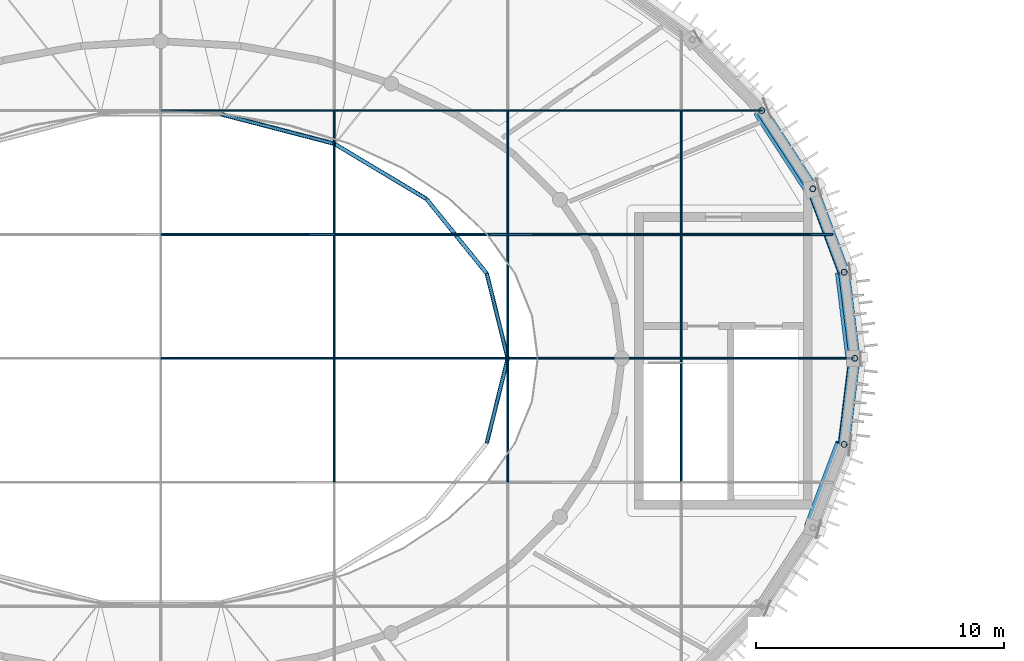
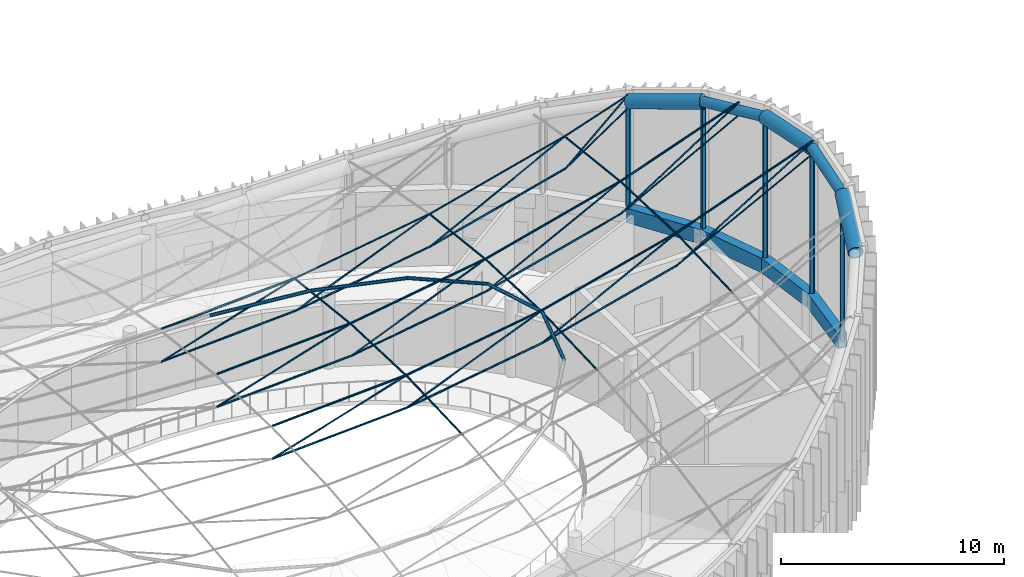
# One storey, part 8 of 36: 60 members, 4 beams.
"""IFC4 building model written with IfcOpenShell, lengths in metres."""

import ifcopenshell
import ifcopenshell.guid

model = None  # the IFC model being written
_history = None  # IfcOwnerHistory: only IFC2X3 demands one
_inside = {}  # id of a spatial element -> (the spatial element, [elements in it])
_under = {}  # id of a project, library or spatial element -> (it, [spatial elements below it])
_declared = {}  # id of a project -> (the project, [libraries it declares])
_typed = {}  # id of a type object -> (the type object, [elements of that type])
_made_of = {}  # id of a material, layer set ... -> (it, [elements and type objects made of it])


def new_model(schema):
    """Start an empty IFC model of exactly this schema.

    Asked for "IFC4X3", IfcOpenShell would pick the latest addendum, in which some entities
    have other attributes; the version numbers below select the first issue.
    IFC2X3 requires an IfcOwnerHistory on every rooted entity: one is made here for all.
    """
    global model, _history
    if schema == "IFC4X3":
        model = ifcopenshell.file(schema_version=(4, 3, 0, 0))
    else:
        model = ifcopenshell.file(schema=schema)
    _inside.clear()
    _under.clear()
    _declared.clear()
    _typed.clear()
    _made_of.clear()
    _history = None
    if model.schema == "IFC2X3":
        org = make("IfcOrganization", Name="unknown")
        user = make(
            "IfcPersonAndOrganization",
            ThePerson=make("IfcPerson", FamilyName="unknown"),
            TheOrganization=org,
        )
        app = make(
            "IfcApplication",
            ApplicationDeveloper=org,
            Version="unknown",
            ApplicationFullName="unknown",
            ApplicationIdentifier="unknown",
        )
        _history = make(
            "IfcOwnerHistory",
            OwningUser=user,
            OwningApplication=app,
            ChangeAction="ADDED",
            CreationDate=0,
        )
    return model


def make(cls, **values):
    """One entity of the class cls with the attributes given. An attribute that is None is left unset."""
    return model.create_entity(
        cls, **{name: value for name, value in values.items() if value is not None}
    )


def rooted(cls, **values):
    """An entity with a GlobalId (a new one), such as an element, a storey or a relation."""
    return make(cls, GlobalId=ifcopenshell.guid.new(), OwnerHistory=_history, **values)


def si_unit(unit_type, name, prefix=None):
    """IfcSIUnit, for example si_unit("LENGTHUNIT", "METRE", prefix="MILLI")."""
    return make("IfcSIUnit", UnitType=unit_type, Prefix=prefix, Name=name)


def assignment(units):
    """IfcUnitAssignment: the units of a project."""
    return None if units is None else make("IfcUnitAssignment", Units=units)


def point(xyz):
    """IfcCartesianPoint."""
    return None if xyz is None else make("IfcCartesianPoint", Coordinates=xyz)


def direction(xyz):
    """IfcDirection."""
    return None if xyz is None else make("IfcDirection", DirectionRatios=xyz)


def frame(location, z_axis=None, x_axis=None):
    """IfcAxis2Placement3D, a coordinate frame: its origin and axes. An axis left out is left unset."""
    return make(
        "IfcAxis2Placement3D",
        Location=point(location),
        Axis=direction(z_axis),
        RefDirection=direction(x_axis),
    )


def frame_2d(location, x_axis=None):
    """IfcAxis2Placement2D, a coordinate frame in the plane: its origin and x axis."""
    return make(
        "IfcAxis2Placement2D", Location=point(location), RefDirection=direction(x_axis)
    )


def origin():
    """The frame at (0, 0, 0) with its axes left unset."""
    return frame((0.0, 0.0, 0.0))


def origin_2d():
    """The frame at (0, 0) in the plane with its x axis left unset."""
    return frame_2d((0.0, 0.0))


def place(relative_to, where):
    """IfcLocalPlacement: puts the frame where relative to a parent placement (None: the world)."""
    return make(
        "IfcLocalPlacement", PlacementRelTo=relative_to, RelativePlacement=where
    )


def context(
    kind, dimensions, precision=None, world=None, true_north=None, identifier=None
):
    """IfcGeometricRepresentationContext, for example the 3D "Model" context."""
    return make(
        "IfcGeometricRepresentationContext",
        ContextIdentifier=identifier,
        ContextType=kind,
        CoordinateSpaceDimension=dimensions,
        Precision=precision,
        WorldCoordinateSystem=world,
        TrueNorth=true_north,
    )


def subcontext(parent, identifier, kind, view, scale=None):
    """IfcGeometricRepresentationSubContext, for example "Body" below "Model"."""
    return make(
        "IfcGeometricRepresentationSubContext",
        ContextIdentifier=identifier,
        ContextType=kind,
        ParentContext=parent,
        TargetScale=scale,
        TargetView=view,
    )


def project(units=None, contexts=None):
    """IfcProject with its units and contexts."""
    return rooted(
        "IfcProject",
        Name="project",
        RepresentationContexts=contexts,
        UnitsInContext=assignment(units),
    )


def spatial(cls, under=None, at=None, **own):
    """A site, building, storey or space (cls), placed at a placement, below another one or the project."""
    s = rooted(cls, ObjectPlacement=at, **own)
    if under is not None:
        _under.setdefault(under.id(), (under, []))[1].append(s)
    return s


def profile(cls, at=None, kind="AREA", **sizes):
    """A parametric profile (cls). Its sizes go by their IFC names, for example OverallWidth=200.0."""
    return make(cls, ProfileType=kind, Position=at, **sizes)


def hollow_rectangle(**sizes):
    """IfcRectangleHollowProfileDef."""
    return profile("IfcRectangleHollowProfileDef", **sizes)


def circle(**sizes):
    """IfcCircleProfileDef."""
    return profile("IfcCircleProfileDef", **sizes)


def hollow_circle(**sizes):
    """IfcCircleHollowProfileDef."""
    return profile("IfcCircleHollowProfileDef", **sizes)


def extrude(swept, where, along, depth):
    """IfcExtrudedAreaSolid: the profile swept, set in the frame where, extruded along a direction by depth."""
    return make(
        "IfcExtrudedAreaSolid",
        SweptArea=swept,
        Position=where,
        ExtrudedDirection=direction(along),
        Depth=depth,
    )


def shape(context_of_items, identifier, shape_type, items):
    """IfcShapeRepresentation: the items that make up one representation, for example the "Body"."""
    return make(
        "IfcShapeRepresentation",
        ContextOfItems=context_of_items,
        RepresentationIdentifier=identifier,
        RepresentationType=shape_type,
        Items=items,
    )


def material(Name=None, Category=None):
    """IfcMaterial."""
    return make("IfcMaterial", Name=Name, Category=Category)


def material_profile(
    of_material, cross_section, Name=None, Category=None, Priority=None
):
    """IfcMaterialProfile: a cross section and its material."""
    return make(
        "IfcMaterialProfile",
        Name=Name,
        Material=of_material,
        Profile=cross_section,
        Priority=Priority,
        Category=Category,
    )


def profile_set(profiles, Name=None, composite=None):
    """IfcMaterialProfileSet."""
    return make(
        "IfcMaterialProfileSet",
        Name=Name,
        MaterialProfiles=profiles,
        CompositeProfile=composite,
    )


def made_of(thing, what):
    """Note that an element or type object is made of a material, layer set ...; save() writes the relation."""
    if what is not None:
        _made_of.setdefault(what.id(), (what, []))[1].append(thing)
    return thing


def type_object(cls, material=None, **own):
    """A type object (cls), such as IfcWallType, which elements share."""
    return made_of(rooted(cls, **own), material)


def element(
    cls,
    number,
    at=None,
    inside=None,
    cuts=None,
    type_object=None,
    material=None,
    context=None,
    identifier="Body",
    shape_type=None,
    held_by="IfcProductDefinitionShape",
    body=None,
    shapes=None,
    **own,
):
    """One element of the class cls, such as IfcWall. Its Tag is "e" and its number.

    at: its placement. inside: the storey or other place that contains it. cuts: it is an
    opening in that element (IfcRelVoidsElement). A single representation is given by context,
    identifier, shape_type and body (its items); several are given by shapes. held_by: the class
    of the entity that holds the representations. save() writes the other relations.
    """
    e = rooted(cls, Tag="e%d" % number, ObjectPlacement=at, **own)
    if body is not None:
        shapes = [shape(context, identifier, shape_type, body)]
    if shapes is not None:
        e.Representation = make(held_by, Representations=shapes)
    if inside is not None:
        _inside.setdefault(inside.id(), (inside, []))[1].append(e)
    if cuts is not None:
        rooted(
            "IfcRelVoidsElement", RelatingBuildingElement=cuts, RelatedOpeningElement=e
        )
    if type_object is not None:
        _typed.setdefault(type_object.id(), (type_object, []))[1].append(e)
    return made_of(e, material)


def aggregate(whole, parts):
    """IfcRelAggregates: a whole, such as a stair, and the parts it consists of."""
    return rooted("IfcRelAggregates", RelatingObject=whole, RelatedObjects=parts)


def save(model, path):
    """Write the relations noted so far, then the file.

    IfcRelAggregates (storeys below a building ...), IfcRelContainedInSpatialStructure (elements
    in a storey), IfcRelDefinesByType, IfcRelAssociatesMaterial and IfcRelDeclares: one each for
    every whole, place, type object, material and project.
    """
    for whole, parts in _under.values():
        aggregate(whole, parts)
    for where, things in _inside.values():
        rooted(
            "IfcRelContainedInSpatialStructure",
            RelatedElements=things,
            RelatingStructure=where,
        )
    for kind, things in _typed.values():
        rooted("IfcRelDefinesByType", RelatedObjects=things, RelatingType=kind)
    for what, things in _made_of.values():
        rooted("IfcRelAssociatesMaterial", RelatedObjects=things, RelatingMaterial=what)
    for by, libraries in _declared.values():
        rooted("IfcRelDeclares", RelatingContext=by, RelatedDefinitions=libraries)
    model.write(path)


model = new_model("IFC4")

# Units and contexts
model_context = context("Model", 3, precision=1e-05, world=origin(), true_north=direction((0.0, 1.0)))
body_context = subcontext(model_context, "Body", "Model", "MODEL_VIEW")
ifc_project = project(units=[si_unit("LENGTHUNIT", "METRE"), si_unit("AREAUNIT", "SQUARE_METRE"), si_unit("VOLUMEUNIT", "CUBIC_METRE"), si_unit("PLANEANGLEUNIT", "RADIAN"), si_unit("MASSUNIT", "GRAM", prefix="KILO")], contexts=[model_context])

# Site, building, storey
site_placement = place(None, origin())
site = spatial("IfcSite", under=ifc_project, at=site_placement, CompositionType="ELEMENT")
building_placement = place(site_placement, origin())
building = spatial("IfcBuilding", under=site, at=building_placement, Name="Tarnveldt Headland Concert Hall", CompositionType="ELEMENT")
storey_placement = place(building_placement, frame((0.0, 0.0, 22.800048828125)))
storey = spatial("IfcBuildingStorey", under=building, at=storey_placement, Name="L05", CompositionType="ELEMENT", Elevation=22.800048828125)

# Members
ifc_material = material(Name="Steel S355", Category="steel")
ifc_material_profile_1 = material_profile(ifc_material, circle(Radius=0.0458984375, at=origin_2d()), Name="LC D92", Category="steel")
ifc_profile_set_1 = profile_set([ifc_material_profile_1], Name="Steel S355")
member_type_1 = type_object("IfcMemberType", Name="CB-HOG92", PredefinedType="USERDEFINED", material=ifc_profile_set_1)
for number, where, z_axis, x_axis, name in (
    (1, (90.5, 49.5, 6.73486328125), (0.0, 0.999297615709, 0.037473660589), (-1.0, 0.0, 0.0), "ROOF TRUSS CABLE prestress chord 86"),
    (2, (90.5, 54.5, 6.92236328125), (0.0, 0.999297615709, -0.037473660589), (-1.0, 0.0, 0.0), "ROOF TRUSS CABLE prestress chord 87"),
):
    element("IfcMember", number, at=place(storey_placement, frame(where, z_axis=z_axis, x_axis=x_axis)), inside=storey, type_object=member_type_1, Name=name, ObjectType="CABLE", PredefinedType="USERDEFINED", context=body_context, shape_type="SweptSolid", body=[
        extrude(circle(Radius=0.0458984375, at=origin_2d()), origin(), (0.0, 0.0, 1.0), 5.00341796875),
    ])
member_1_placement = place(storey_placement, frame((90.5, 59.5, 6.73486328125), z_axis=(0.0, 0.993731316159, -0.111794773068), x_axis=(-1.0, 0.0, 0.0)))
element("IfcMember", 3, at=member_1_placement, inside=storey, type_object=member_type_1, Name="ROOF TRUSS CABLE prestress chord 88", ObjectType="CABLE", PredefinedType="USERDEFINED", context=body_context, shape_type="SweptSolid", body=[
    extrude(circle(Radius=0.0458984375, at=origin_2d()), origin(), (0.0, 0.0, 1.0), 5.031494140625),
])
for number, where, z_axis, x_axis, name in (
    (4, (97.5, 49.5, 7.822509765625), (0.0, 0.999297615709, 0.037473660589), (-1.0, 0.0, 0.0), "ROOF TRUSS CABLE prestress chord 94"),
    (5, (97.5, 54.5, 8.010009765625), (0.0, 0.999297615709, -0.037473660589), (-1.0, 0.0, 0.0), "ROOF TRUSS CABLE prestress chord 95"),
):
    element("IfcMember", number, at=place(storey_placement, frame(where, z_axis=z_axis, x_axis=x_axis)), inside=storey, type_object=member_type_1, Name=name, ObjectType="CABLE", PredefinedType="USERDEFINED", context=body_context, shape_type="SweptSolid", body=[
        extrude(circle(Radius=0.0458984375, at=origin_2d()), origin(), (0.0, 0.0, 1.0), 5.00341796875),
    ])
member_2_placement = place(storey_placement, frame((97.5, 59.5, 7.822509765625), z_axis=(0.0, 0.993731316159, -0.111794773068), x_axis=(-1.0, 0.0, 0.0)))
element("IfcMember", 6, at=member_2_placement, inside=storey, type_object=member_type_1, Name="ROOF TRUSS CABLE prestress chord 96", ObjectType="CABLE", PredefinedType="USERDEFINED", context=body_context, shape_type="SweptSolid", body=[
    extrude(circle(Radius=0.0458984375, at=origin_2d()), origin(), (0.0, 0.0, 1.0), 5.031494140625),
])
for number, where, z_axis, x_axis, name in (
    (7, (104.5, 49.5, 9.635009765625), (0.0, 0.999297615709, 0.037473660589), (-1.0, 0.0, 0.0), "ROOF TRUSS CABLE prestress chord 101"),
    (8, (104.5, 54.5, 9.822509765625), (0.0, 0.999297615709, -0.037473660589), (-1.0, 0.0, 0.0), "ROOF TRUSS CABLE prestress chord 102"),
):
    element("IfcMember", number, at=place(storey_placement, frame(where, z_axis=z_axis, x_axis=x_axis)), inside=storey, type_object=member_type_1, Name=name, ObjectType="CABLE", PredefinedType="USERDEFINED", context=body_context, shape_type="SweptSolid", body=[
        extrude(circle(Radius=0.0458984375, at=origin_2d()), origin(), (0.0, 0.0, 1.0), 5.00341796875),
    ])
member_3_placement = place(storey_placement, frame((104.5, 59.5, 9.635009765625), z_axis=(0.0, 0.993731316159, -0.111794773068), x_axis=(-1.0, 0.0, 0.0)))
element("IfcMember", 9, at=member_3_placement, inside=storey, type_object=member_type_1, Name="ROOF TRUSS CABLE prestress chord 103", ObjectType="CABLE", PredefinedType="USERDEFINED", context=body_context, shape_type="SweptSolid", body=[
    extrude(circle(Radius=0.0458984375, at=origin_2d()), origin(), (0.0, 0.0, 1.0), 5.031494140625),
])
ifc_material_profile_2 = material_profile(ifc_material, circle(Radius=0.053955078125, at=origin_2d()), Name="LC D108", Category="steel")
ifc_profile_set_2 = profile_set([ifc_material_profile_2], Name="Steel S355")
member_type_2 = type_object("IfcMemberType", Name="CB-SAG108", PredefinedType="USERDEFINED", material=ifc_profile_set_2)
member_4_placement = place(storey_placement, frame((83.5, 54.5, 6.659912109375), z_axis=(0.99866145102, 0.0, 0.05172336268), x_axis=(0.0, 1.0, 0.0)))
element("IfcMember", 10, at=member_4_placement, inside=storey, type_object=member_type_2, Name="ROOF TRUSS CABLE sag chord 27", ObjectType="CABLE", PredefinedType="USERDEFINED", context=body_context, shape_type="SweptSolid", body=[
    extrude(circle(Radius=0.053955078125, at=origin_2d()), origin(), (0.0, 0.0, 1.0), 7.00927734375),
])
member_5_placement = place(storey_placement, frame((90.5, 54.5, 7.0224609375), z_axis=(0.988148319322, 0.0, 0.153502114058), x_axis=(0.0, 1.0, 0.0)))
element("IfcMember", 11, at=member_5_placement, inside=storey, type_object=member_type_2, Name="ROOF TRUSS CABLE sag chord 28", ObjectType="CABLE", PredefinedType="USERDEFINED", context=body_context, shape_type="SweptSolid", body=[
    extrude(circle(Radius=0.053955078125, at=origin_2d()), origin(), (0.0, 0.0, 1.0), 7.083984375),
])
member_6_placement = place(storey_placement, frame((97.5, 54.5, 8.10986328125), z_axis=(0.968074621179, 0.0, 0.250662178698), x_axis=(0.0, 1.0, 0.0)))
element("IfcMember", 12, at=member_6_placement, inside=storey, type_object=member_type_2, Name="ROOF TRUSS CABLE sag chord 29", ObjectType="CABLE", PredefinedType="USERDEFINED", context=body_context, shape_type="SweptSolid", body=[
    extrude(circle(Radius=0.053955078125, at=origin_2d()), origin(), (0.0, 0.0, 1.0), 7.23095703125),
])
member_7_placement = place(storey_placement, frame((104.5, 54.5, 9.92236328125), z_axis=(0.940131862857, 0.0, 0.340810915965), x_axis=(0.0, 1.0, 0.0)))
element("IfcMember", 13, at=member_7_placement, inside=storey, type_object=member_type_2, Name="ROOF TRUSS CABLE sag chord 30", ObjectType="CABLE", PredefinedType="USERDEFINED", context=body_context, shape_type="SweptSolid", body=[
    extrude(circle(Radius=0.053955078125, at=origin_2d()), origin(), (0.0, 0.0, 1.0), 7.44580078125),
])
member_8_placement = place(storey_placement, frame((83.5, 59.5, 6.472412109375), z_axis=(0.99866145102, 0.0, 0.05172336268), x_axis=(0.0, 1.0, 0.0)))
element("IfcMember", 14, at=member_8_placement, inside=storey, type_object=member_type_2, Name="ROOF TRUSS CABLE sag chord 35", ObjectType="CABLE", PredefinedType="USERDEFINED", context=body_context, shape_type="SweptSolid", body=[
    extrude(circle(Radius=0.053955078125, at=origin_2d()), origin(), (0.0, 0.0, 1.0), 7.00927734375),
])
member_9_placement = place(storey_placement, frame((90.5, 59.5, 6.8349609375), z_axis=(0.988148319322, 0.0, 0.153502114058), x_axis=(0.0, 1.0, 0.0)))
element("IfcMember", 15, at=member_9_placement, inside=storey, type_object=member_type_2, Name="ROOF TRUSS CABLE sag chord 36", ObjectType="CABLE", PredefinedType="USERDEFINED", context=body_context, shape_type="SweptSolid", body=[
    extrude(circle(Radius=0.053955078125, at=origin_2d()), origin(), (0.0, 0.0, 1.0), 7.083984375),
])
member_10_placement = place(storey_placement, frame((97.5, 59.5, 7.92236328125), z_axis=(0.968074621179, 0.0, 0.250662178698), x_axis=(0.0, 1.0, 0.0)))
element("IfcMember", 16, at=member_10_placement, inside=storey, type_object=member_type_2, Name="ROOF TRUSS CABLE sag chord 37", ObjectType="CABLE", PredefinedType="USERDEFINED", context=body_context, shape_type="SweptSolid", body=[
    extrude(circle(Radius=0.053955078125, at=origin_2d()), origin(), (0.0, 0.0, 1.0), 7.23095703125),
])
member_11_placement = place(storey_placement, frame((104.5, 59.5, 9.73486328125), z_axis=(0.942102430183, 0.0, 0.335325231742), x_axis=(0.0, 1.0, 0.0)))
element("IfcMember", 17, at=member_11_placement, inside=storey, type_object=member_type_2, Name="ROOF TRUSS CABLE sag chord 38", ObjectType="CABLE", PredefinedType="USERDEFINED", context=body_context, shape_type="SweptSolid", body=[
    extrude(circle(Radius=0.053955078125, at=origin_2d()), origin(), (0.0, 0.0, 1.0), 6.486328125),
])
ifc_material_profile_3 = material_profile(ifc_material, circle(Radius=0.031982421875, at=origin_2d()), Name="LC D64", Category="steel")
ifc_profile_set_3 = profile_set([ifc_material_profile_3], Name="Steel S355")
member_type_3 = type_object("IfcMemberType", Name="CB-STAY64", PredefinedType="USERDEFINED", material=ifc_profile_set_3)
member_12_placement = place(storey_placement, frame((83.5, 54.5, 4.85986328125), z_axis=(0.955442632118, 0.0, 0.2951768567), x_axis=(0.0, 1.0, 0.0)))
element("IfcMember", 18, at=member_12_placement, inside=storey, type_object=member_type_3, Name="ROOF TRUSS CABLE diagonal 27", ObjectType="CABLE", PredefinedType="USERDEFINED", context=body_context, shape_type="SweptSolid", body=[
    extrude(circle(Radius=0.031982421875, at=origin_2d()), origin(), (0.0, 0.0, 1.0), 7.326416015625),
])
member_13_placement = place(storey_placement, frame((90.5, 54.5, 5.222412109375), z_axis=(0.924440874248, 0.0, 0.381325412239), x_axis=(0.0, 1.0, 0.0)))
element("IfcMember", 19, at=member_13_placement, inside=storey, type_object=member_type_3, Name="ROOF TRUSS CABLE diagonal 28", ObjectType="CABLE", PredefinedType="USERDEFINED", context=body_context, shape_type="SweptSolid", body=[
    extrude(circle(Radius=0.031982421875, at=origin_2d()), origin(), (0.0, 0.0, 1.0), 7.572265625),
])
member_14_placement = place(storey_placement, frame((97.5, 54.5, 6.31005859375), z_axis=(0.888651623271, 0.0, 0.458582917757), x_axis=(0.0, 1.0, 0.0)))
element("IfcMember", 20, at=member_14_placement, inside=storey, type_object=member_type_3, Name="ROOF TRUSS CABLE diagonal 29", ObjectType="CABLE", PredefinedType="USERDEFINED", context=body_context, shape_type="SweptSolid", body=[
    extrude(circle(Radius=0.031982421875, at=origin_2d()), origin(), (0.0, 0.0, 1.0), 7.877197265625),
])
member_15_placement = place(storey_placement, frame((104.5, 54.5, 8.12255859375), z_axis=(0.850043932849, 0.0, 0.526711792375), x_axis=(0.0, 1.0, 0.0)))
element("IfcMember", 21, at=member_15_placement, inside=storey, type_object=member_type_3, Name="ROOF TRUSS CABLE diagonal 30", ObjectType="CABLE", PredefinedType="USERDEFINED", context=body_context, shape_type="SweptSolid", body=[
    extrude(circle(Radius=0.031982421875, at=origin_2d()), origin(), (0.0, 0.0, 1.0), 8.23486328125),
])
member_16_placement = place(storey_placement, frame((83.5, 59.5, 4.67236328125), z_axis=(0.955442632118, 0.0, 0.2951768567), x_axis=(0.0, 1.0, 0.0)))
element("IfcMember", 22, at=member_16_placement, inside=storey, type_object=member_type_3, Name="ROOF TRUSS CABLE diagonal 35", ObjectType="CABLE", PredefinedType="USERDEFINED", context=body_context, shape_type="SweptSolid", body=[
    extrude(circle(Radius=0.031982421875, at=origin_2d()), origin(), (0.0, 0.0, 1.0), 7.326416015625),
])
member_17_placement = place(storey_placement, frame((90.5, 59.5, 5.034912109375), z_axis=(0.924440874248, 0.0, 0.381325412239), x_axis=(0.0, 1.0, 0.0)))
element("IfcMember", 23, at=member_17_placement, inside=storey, type_object=member_type_3, Name="ROOF TRUSS CABLE diagonal 36", ObjectType="CABLE", PredefinedType="USERDEFINED", context=body_context, shape_type="SweptSolid", body=[
    extrude(circle(Radius=0.031982421875, at=origin_2d()), origin(), (0.0, 0.0, 1.0), 7.572265625),
])
member_18_placement = place(storey_placement, frame((97.5, 59.5, 6.12255859375), z_axis=(0.888651623271, 0.0, 0.458582917757), x_axis=(0.0, 1.0, 0.0)))
element("IfcMember", 24, at=member_18_placement, inside=storey, type_object=member_type_3, Name="ROOF TRUSS CABLE diagonal 37", ObjectType="CABLE", PredefinedType="USERDEFINED", context=body_context, shape_type="SweptSolid", body=[
    extrude(circle(Radius=0.031982421875, at=origin_2d()), origin(), (0.0, 0.0, 1.0), 7.877197265625),
])
member_19_placement = place(storey_placement, frame((104.5, 59.5, 7.93505859375), z_axis=(0.838267585522, 0.0, 0.545259071509), x_axis=(0.0, 1.0, 0.0)))
element("IfcMember", 25, at=member_19_placement, inside=storey, type_object=member_type_3, Name="ROOF TRUSS CABLE diagonal 38", ObjectType="CABLE", PredefinedType="USERDEFINED", context=body_context, shape_type="SweptSolid", body=[
    extrude(circle(Radius=0.031982421875, at=origin_2d()), origin(), (0.0, 0.0, 1.0), 7.289794921875),
])
member_20_placement = place(storey_placement, frame((83.5, 64.5, 4.10986328125), z_axis=(0.955442632118, 0.0, 0.2951768567), x_axis=(0.0, 1.0, 0.0)))
element("IfcMember", 26, at=member_20_placement, inside=storey, type_object=member_type_3, Name="ROOF TRUSS CABLE diagonal 43", ObjectType="CABLE", PredefinedType="USERDEFINED", context=body_context, shape_type="SweptSolid", body=[
    extrude(circle(Radius=0.031982421875, at=origin_2d()), origin(), (0.0, 0.0, 1.0), 7.326416015625),
])
member_21_placement = place(storey_placement, frame((90.5, 64.5, 4.472412109375), z_axis=(0.924440874248, 0.0, 0.381325412239), x_axis=(0.0, 1.0, 0.0)))
element("IfcMember", 27, at=member_21_placement, inside=storey, type_object=member_type_3, Name="ROOF TRUSS CABLE diagonal 44", ObjectType="CABLE", PredefinedType="USERDEFINED", context=body_context, shape_type="SweptSolid", body=[
    extrude(circle(Radius=0.031982421875, at=origin_2d()), origin(), (0.0, 0.0, 1.0), 7.572265625),
])
member_22_placement = place(storey_placement, frame((97.5, 64.5, 5.56005859375), z_axis=(0.888651623271, 0.0, 0.458582917757), x_axis=(0.0, 1.0, 0.0)))
element("IfcMember", 28, at=member_22_placement, inside=storey, type_object=member_type_3, Name="ROOF TRUSS CABLE diagonal 45", ObjectType="CABLE", PredefinedType="USERDEFINED", context=body_context, shape_type="SweptSolid", body=[
    extrude(circle(Radius=0.031982421875, at=origin_2d()), origin(), (0.0, 0.0, 1.0), 7.877197265625),
])
member_23_placement = place(storey_placement, frame((104.5, 64.5, 7.37255859375), z_axis=(0.747449604511, 0.0, 0.664318514507), x_axis=(0.0, 1.0, 0.0)))
element("IfcMember", 29, at=member_23_placement, inside=storey, type_object=member_type_3, Name="ROOF TRUSS CABLE diagonal 46", ObjectType="CABLE", PredefinedType="USERDEFINED", context=body_context, shape_type="SweptSolid", body=[
    extrude(circle(Radius=0.031982421875, at=origin_2d()), origin(), (0.0, 0.0, 1.0), 4.346435546875),
])
ifc_material_profile_4 = material_profile(ifc_material, circle(Radius=0.0419921875, at=origin_2d()), Name="LC D84", Category="steel")
ifc_profile_set_4 = profile_set([ifc_material_profile_4], Name="Steel S355")
member_type_4 = type_object("IfcMemberType", Name="CB-STAY84", PredefinedType="USERDEFINED", material=ifc_profile_set_4)
member_24_placement = place(storey_placement, frame((83.5, 64.5, 5.909912109375), z_axis=(0.99866145102, 0.0, 0.05172336268), x_axis=(0.0, 1.0, 0.0)))
element("IfcMember", 30, at=member_24_placement, inside=storey, type_object=member_type_4, Name="ROOF TRUSS CABLE sag chord 43", ObjectType="CABLE", PredefinedType="USERDEFINED", context=body_context, shape_type="SweptSolid", body=[
    extrude(circle(Radius=0.0419921875, at=origin_2d()), origin(), (0.0, 0.0, 1.0), 7.00927734375),
])
member_25_placement = place(storey_placement, frame((90.5, 64.5, 6.2724609375), z_axis=(0.988148319322, 0.0, 0.153502114058), x_axis=(0.0, 1.0, 0.0)))
element("IfcMember", 31, at=member_25_placement, inside=storey, type_object=member_type_4, Name="ROOF TRUSS CABLE sag chord 44", ObjectType="CABLE", PredefinedType="USERDEFINED", context=body_context, shape_type="SweptSolid", body=[
    extrude(circle(Radius=0.0419921875, at=origin_2d()), origin(), (0.0, 0.0, 1.0), 7.083984375),
])
member_26_placement = place(storey_placement, frame((97.5, 64.5, 7.35986328125), z_axis=(0.968074621179, 0.0, 0.250662178698), x_axis=(0.0, 1.0, 0.0)))
element("IfcMember", 32, at=member_26_placement, inside=storey, type_object=member_type_4, Name="ROOF TRUSS CABLE sag chord 45", ObjectType="CABLE", PredefinedType="USERDEFINED", context=body_context, shape_type="SweptSolid", body=[
    extrude(circle(Radius=0.0419921875, at=origin_2d()), origin(), (0.0, 0.0, 1.0), 7.23095703125),
])
member_27_placement = place(storey_placement, frame((104.5, 64.5, 9.17236328125), z_axis=(0.948269174357, 0.0, 0.317467436068), x_axis=(0.0, 1.0, 0.0)))
element("IfcMember", 33, at=member_27_placement, inside=storey, type_object=member_type_4, Name="ROOF TRUSS CABLE sag chord 46", ObjectType="CABLE", PredefinedType="USERDEFINED", context=body_context, shape_type="SweptSolid", body=[
    extrude(circle(Radius=0.0419921875, at=origin_2d()), origin(), (0.0, 0.0, 1.0), 3.426025390625),
])
ifc_material_profile_5 = material_profile(ifc_material, circle(Radius=0.0380859375, at=origin_2d()), Name="LC D76", Category="steel")
ifc_profile_set_5 = profile_set([ifc_material_profile_5], Name="Steel S355")
member_type_5 = type_object("IfcMemberType", Name="CB-TIE76", PredefinedType="USERDEFINED", material=ifc_profile_set_5)
member_28_placement = place(storey_placement, frame((83.5, 54.5, 4.85986328125), z_axis=(0.99866145102, 0.0, 0.05172336268), x_axis=(0.0, 1.0, 0.0)))
element("IfcMember", 34, at=member_28_placement, inside=storey, type_object=member_type_5, Name="ROOF TRUSS CABLE lower chord 27", ObjectType="CABLE", PredefinedType="USERDEFINED", context=body_context, shape_type="SweptSolid", body=[
    extrude(circle(Radius=0.0380859375, at=origin_2d()), origin(), (0.0, 0.0, 1.0), 7.00927734375),
])
member_29_placement = place(storey_placement, frame((90.5, 54.5, 5.222412109375), z_axis=(0.988143091198, 0.0, 0.1535357656), x_axis=(0.0, 1.0, 0.0)))
element("IfcMember", 35, at=member_29_placement, inside=storey, type_object=member_type_5, Name="ROOF TRUSS CABLE lower chord 28", ObjectType="CABLE", PredefinedType="USERDEFINED", context=body_context, shape_type="SweptSolid", body=[
    extrude(circle(Radius=0.0380859375, at=origin_2d()), origin(), (0.0, 0.0, 1.0), 7.083984375),
])
member_30_placement = place(storey_placement, frame((97.5, 54.5, 6.31005859375), z_axis=(0.968074621179, 0.0, 0.250662178698), x_axis=(0.0, 1.0, 0.0)))
element("IfcMember", 36, at=member_30_placement, inside=storey, type_object=member_type_5, Name="ROOF TRUSS CABLE lower chord 29", ObjectType="CABLE", PredefinedType="USERDEFINED", context=body_context, shape_type="SweptSolid", body=[
    extrude(circle(Radius=0.0380859375, at=origin_2d()), origin(), (0.0, 0.0, 1.0), 7.23095703125),
])
member_31_placement = place(storey_placement, frame((104.5, 54.5, 8.12255859375), z_axis=(0.887349016049, 0.0, 0.461098388327), x_axis=(0.0, 1.0, 0.0)))
element("IfcMember", 37, at=member_31_placement, inside=storey, type_object=member_type_5, Name="ROOF TRUSS CABLE lower chord 30", ObjectType="CABLE", PredefinedType="USERDEFINED", context=body_context, shape_type="SweptSolid", body=[
    extrude(circle(Radius=0.0380859375, at=origin_2d()), origin(), (0.0, 0.0, 1.0), 7.888671875),
])
member_32_placement = place(storey_placement, frame((83.5, 59.5, 4.67236328125), z_axis=(0.99866145102, 0.0, 0.05172336268), x_axis=(0.0, 1.0, 0.0)))
element("IfcMember", 38, at=member_32_placement, inside=storey, type_object=member_type_5, Name="ROOF TRUSS CABLE lower chord 35", ObjectType="CABLE", PredefinedType="USERDEFINED", context=body_context, shape_type="SweptSolid", body=[
    extrude(circle(Radius=0.0380859375, at=origin_2d()), origin(), (0.0, 0.0, 1.0), 7.00927734375),
])
member_33_placement = place(storey_placement, frame((90.5, 59.5, 5.034912109375), z_axis=(0.988143091198, 0.0, 0.1535357656), x_axis=(0.0, 1.0, 0.0)))
element("IfcMember", 39, at=member_33_placement, inside=storey, type_object=member_type_5, Name="ROOF TRUSS CABLE lower chord 36", ObjectType="CABLE", PredefinedType="USERDEFINED", context=body_context, shape_type="SweptSolid", body=[
    extrude(circle(Radius=0.0380859375, at=origin_2d()), origin(), (0.0, 0.0, 1.0), 7.083984375),
])
member_34_placement = place(storey_placement, frame((97.5, 59.5, 6.12255859375), z_axis=(0.968074621179, 0.0, 0.250662178698), x_axis=(0.0, 1.0, 0.0)))
element("IfcMember", 40, at=member_34_placement, inside=storey, type_object=member_type_5, Name="ROOF TRUSS CABLE lower chord 37", ObjectType="CABLE", PredefinedType="USERDEFINED", context=body_context, shape_type="SweptSolid", body=[
    extrude(circle(Radius=0.0380859375, at=origin_2d()), origin(), (0.0, 0.0, 1.0), 7.23095703125),
])
member_35_placement = place(storey_placement, frame((104.5, 59.5, 7.93505859375), z_axis=(0.881405622385, 0.0, 0.472360168545), x_axis=(0.0, 1.0, 0.0)))
element("IfcMember", 41, at=member_35_placement, inside=storey, type_object=member_type_5, Name="ROOF TRUSS CABLE lower chord 38", ObjectType="CABLE", PredefinedType="USERDEFINED", context=body_context, shape_type="SweptSolid", body=[
    extrude(circle(Radius=0.0380859375, at=origin_2d()), origin(), (0.0, 0.0, 1.0), 6.93310546875),
])
member_36_placement = place(storey_placement, frame((83.5, 64.5, 4.10986328125), z_axis=(0.99866145102, 0.0, 0.05172336268), x_axis=(0.0, 1.0, 0.0)))
element("IfcMember", 42, at=member_36_placement, inside=storey, type_object=member_type_5, Name="ROOF TRUSS CABLE lower chord 43", ObjectType="CABLE", PredefinedType="USERDEFINED", context=body_context, shape_type="SweptSolid", body=[
    extrude(circle(Radius=0.0380859375, at=origin_2d()), origin(), (0.0, 0.0, 1.0), 7.00927734375),
])
member_37_placement = place(storey_placement, frame((90.5, 64.5, 4.472412109375), z_axis=(0.988143091198, 0.0, 0.1535357656), x_axis=(0.0, 1.0, 0.0)))
element("IfcMember", 43, at=member_37_placement, inside=storey, type_object=member_type_5, Name="ROOF TRUSS CABLE lower chord 44", ObjectType="CABLE", PredefinedType="USERDEFINED", context=body_context, shape_type="SweptSolid", body=[
    extrude(circle(Radius=0.0380859375, at=origin_2d()), origin(), (0.0, 0.0, 1.0), 7.083984375),
])
member_38_placement = place(storey_placement, frame((97.5, 64.5, 5.56005859375), z_axis=(0.968074621179, 0.0, 0.250662178698), x_axis=(0.0, 1.0, 0.0)))
element("IfcMember", 44, at=member_38_placement, inside=storey, type_object=member_type_5, Name="ROOF TRUSS CABLE lower chord 45", ObjectType="CABLE", PredefinedType="USERDEFINED", context=body_context, shape_type="SweptSolid", body=[
    extrude(circle(Radius=0.0380859375, at=origin_2d()), origin(), (0.0, 0.0, 1.0), 7.23095703125),
])
member_39_placement = place(storey_placement, frame((104.5, 64.5, 7.37255859375), z_axis=(0.829490559876, 0.0, 0.558520734688), x_axis=(0.0, 1.0, 0.0)))
element("IfcMember", 45, at=member_39_placement, inside=storey, type_object=member_type_5, Name="ROOF TRUSS CABLE lower chord 46", ObjectType="CABLE", PredefinedType="USERDEFINED", context=body_context, shape_type="SweptSolid", body=[
    extrude(circle(Radius=0.0380859375, at=origin_2d()), origin(), (0.0, 0.0, 1.0), 3.91650390625),
])
ifc_material_profile_6 = material_profile(ifc_material, hollow_circle(Radius=0.084228515625, WallThickness=0.010009765625, at=origin_2d()), Name="CHS 168.3x10", Category="steel")
ifc_profile_set_6 = profile_set([ifc_material_profile_6], Name="Steel S355")
member_type_6 = type_object("IfcMemberType", Name="PR-CHS168", PredefinedType="PURLIN", material=ifc_profile_set_6)
member_40_placement = place(storey_placement, frame((97.5, 54.5, 8.030029296875), z_axis=(-0.239010317392, 0.968275169564, -0.072919573409), x_axis=(-0.970859768832, -0.239648303278, 0.0)))
element("IfcMember", 46, at=member_40_placement, inside=storey, type_object=member_type_6, Name="Saddle roof ring purlin 1", PredefinedType="PURLIN", context=body_context, shape_type="SweptSolid", body=[
    extrude(hollow_circle(Radius=0.084228515625, WallThickness=0.010009765625, at=origin_2d()), origin(), (0.0, 0.0, 1.0), 3.5322265625),
])
member_41_placement = place(storey_placement, frame((96.65576171875, 57.920166015625, 7.7724609375), z_axis=(-0.619876647106, 0.766909047234, -0.166142877197), x_axis=(-0.77771801274, -0.628613309324, 0.0)))
element("IfcMember", 47, at=member_41_placement, inside=storey, type_object=member_type_6, Name="Saddle roof ring purlin 2", PredefinedType="PURLIN", context=body_context, shape_type="SweptSolid", body=[
    extrude(hollow_circle(Radius=0.084228515625, WallThickness=0.010009765625, at=origin_2d()), origin(), (0.0, 0.0, 1.0), 3.921875),
])
member_42_placement = place(storey_placement, frame((94.224609375, 60.927978515625, 7.120849609375), z_axis=(-0.845510150532, 0.506774044079, -0.168204202076), x_axis=(-0.51409883539, -0.857730952834, 0.0)))
element("IfcMember", 48, at=member_42_placement, inside=storey, type_object=member_type_6, Name="Saddle roof ring purlin 3", PredefinedType="PURLIN", context=body_context, shape_type="SweptSolid", body=[
    extrude(hollow_circle(Radius=0.084228515625, WallThickness=0.010009765625, at=origin_2d()), origin(), (0.0, 0.0, 1.0), 4.4052734375),
])
member_43_placement = place(storey_placement, frame((90.5, 63.160400390625, 6.3798828125), z_axis=(-0.962790907549, 0.250292709481, -0.101917750767), x_axis=(-0.251602848607, -0.967830567079, 0.0)))
element("IfcMember", 49, at=member_43_placement, inside=storey, type_object=member_type_6, Name="Saddle roof ring purlin 4", PredefinedType="PURLIN", context=body_context, shape_type="SweptSolid", body=[
    extrude(hollow_circle(Radius=0.084228515625, WallThickness=0.010009765625, at=origin_2d()), origin(), (0.0, 0.0, 1.0), 4.745361328125),
])
member_44_placement = place(storey_placement, frame((96.65576171875, 51.079833984375, 7.7724609375), z_axis=(0.239010317392, 0.968275169564, 0.072919573409), x_axis=(-0.970859768832, 0.239648303278, 0.0)))
element("IfcMember", 50, at=member_44_placement, inside=storey, type_object=member_type_6, Name="Saddle roof ring purlin 18", PredefinedType="PURLIN", context=body_context, shape_type="SweptSolid", body=[
    extrude(hollow_circle(Radius=0.084228515625, WallThickness=0.010009765625, at=origin_2d()), origin(), (0.0, 0.0, 1.0), 3.5322265625),
])

# Beams
ifc_material_profile_7 = material_profile(ifc_material, hollow_rectangle(XDim=0.449951171875, YDim=0.800048828125, WallThickness=0.028076171875, at=origin_2d()), Name="RHS 800x450x28", Category="steel")
ifc_profile_set_7 = profile_set([ifc_material_profile_7], Name="Steel S355")
beam_type = type_object("IfcBeamType", Name="RB-01", PredefinedType="BEAM", material=ifc_profile_set_7)
beam_1_placement = place(storey_placement, frame((111.5, 54.5, 3.800048828125), z_axis=(-0.121552414401, 0.99258501427, 0.0), x_axis=(-0.99258501427, -0.121552414401, 0.0)))
element("IfcBeam", 51, at=beam_1_placement, inside=storey, type_object=beam_type, Name="Compression RING BEAM chord 1", PredefinedType="BEAM", context=body_context, shape_type="SweptSolid", body=[
    extrude(hollow_rectangle(XDim=0.449951171875, YDim=0.800048828125, WallThickness=0.028076171875, at=origin_2d()), origin(), (0.0, 0.0, 1.0), 3.498779296875),
])
beam_2_placement = place(storey_placement, frame((111.07470703125, 57.972900390625, 3.800048828125), z_axis=(-0.351279653979, 0.936270583058, 0.0), x_axis=(-0.936270583058, -0.351279653979, 0.0)))
element("IfcBeam", 52, at=beam_2_placement, inside=storey, type_object=beam_type, Name="Compression RING BEAM chord 2", PredefinedType="BEAM", context=body_context, shape_type="SweptSolid", body=[
    extrude(hollow_rectangle(XDim=0.449951171875, YDim=0.800048828125, WallThickness=0.028076171875, at=origin_2d()), origin(), (0.0, 0.0, 1.0), 3.5966796875),
])
beam_3_placement = place(storey_placement, frame((109.811279296875, 61.34033203125, 3.800048828125), z_axis=(-0.546611158382, 0.837386554425, 0.0), x_axis=(-0.837386554425, -0.546611158382, 0.0)))
element("IfcBeam", 53, at=beam_3_placement, inside=storey, type_object=beam_type, Name="Compression RING BEAM chord 3", PredefinedType="BEAM", context=body_context, shape_type="SweptSolid", body=[
    extrude(hollow_rectangle(XDim=0.449951171875, YDim=0.800048828125, WallThickness=0.028076171875, at=origin_2d()), origin(), (0.0, 0.0, 1.0), 3.773193359375),
])
beam_4_placement = place(storey_placement, frame((111.07470703125, 51.027099609375, 3.800048828125), z_axis=(0.121552414401, 0.99258501427, 0.0), x_axis=(-0.99258501427, 0.121552414401, 0.0)))
element("IfcBeam", 54, at=beam_4_placement, inside=storey, type_object=beam_type, Name="Compression RING BEAM chord 36", PredefinedType="BEAM", context=body_context, shape_type="SweptSolid", body=[
    extrude(hollow_rectangle(XDim=0.449951171875, YDim=0.800048828125, WallThickness=0.028076171875, at=origin_2d()), origin(), (0.0, 0.0, 1.0), 3.498779296875),
])

# Members
ifc_material_profile_8 = material_profile(ifc_material, hollow_circle(Radius=0.25390625, WallThickness=0.02490234375, at=origin_2d()), Name="CHS 508x25", Category="steel")
ifc_profile_set_8 = profile_set([ifc_material_profile_8], Name="Steel S355")
member_type_7 = type_object("IfcMemberType", Name="SR-CHS508", PredefinedType="CHORD", material=ifc_profile_set_8)
member_45_placement = place(storey_placement, frame((111.07470703125, 57.972900390625, 11.8544921875), z_axis=(-0.343614502846, 0.915840548358, -0.207762276213), x_axis=(-0.936270583058, -0.351279653979, 0.0)))
element("IfcMember", 55, at=member_45_placement, inside=storey, type_object=member_type_7, Name="Saddle boundary arch RING BEAM rib 2", PredefinedType="CHORD", context=body_context, shape_type="SweptSolid", body=[
    extrude(hollow_circle(Radius=0.25390625, WallThickness=0.02490234375, at=origin_2d()), origin(), (0.0, 0.0, 1.0), 3.6767578125),
])
member_46_placement = place(storey_placement, frame((111.07470703125, 51.027099609375, 11.8544921875), z_axis=(0.121204273836, 0.989742132789, 0.075630910253), x_axis=(-0.99258501427, 0.121552414401, 0.0)))
element("IfcMember", 56, at=member_46_placement, inside=storey, type_object=member_type_7, Name="Saddle boundary arch RING BEAM rib 36", PredefinedType="CHORD", context=body_context, shape_type="SweptSolid", body=[
    extrude(hollow_circle(Radius=0.25390625, WallThickness=0.02490234375, at=origin_2d()), origin(), (0.0, 0.0, 1.0), 3.5087890625),
])
ifc_material_profile_9 = material_profile(ifc_material, hollow_circle(Radius=0.35546875, WallThickness=0.028076171875, at=origin_2d()), Name="CHS 711x28", Category="steel")
ifc_profile_set_9 = profile_set([ifc_material_profile_9], Name="Steel S355")
member_type_8 = type_object("IfcMemberType", Name="SR-CHS711", PredefinedType="CHORD", material=ifc_profile_set_9)
member_47_placement = place(storey_placement, frame((111.5, 54.5, 12.119873046875), z_axis=(-0.121204273836, 0.989742132789, -0.075630910253), x_axis=(-0.99258501427, -0.121552414401, 0.0)))
element("IfcMember", 57, at=member_47_placement, inside=storey, type_object=member_type_8, Name="Saddle boundary arch RING BEAM rib 1", PredefinedType="CHORD", context=body_context, shape_type="SweptSolid", body=[
    extrude(hollow_circle(Radius=0.35546875, WallThickness=0.028076171875, at=origin_2d()), origin(), (0.0, 0.0, 1.0), 3.5087890625),
])
member_48_placement = place(storey_placement, frame((109.811279296875, 61.34033203125, 11.090576171875), z_axis=(-0.52206257762, 0.799779105061, -0.296317478656), x_axis=(-0.837386554425, -0.546611158382, 0.0)))
element("IfcMember", 58, at=member_48_placement, inside=storey, type_object=member_type_8, Name="Saddle boundary arch RING BEAM rib 3", PredefinedType="CHORD", context=body_context, shape_type="SweptSolid", body=[
    extrude(hollow_circle(Radius=0.35546875, WallThickness=0.028076171875, at=origin_2d()), origin(), (0.0, 0.0, 1.0), 3.95068359375),
])
member_49_placement = place(storey_placement, frame((109.811279296875, 47.65966796875, 11.090576171875), z_axis=(0.343614502846, 0.915840548358, 0.207762276213), x_axis=(-0.936270583058, 0.351279653979, 0.0)))
element("IfcMember", 59, at=member_49_placement, inside=storey, type_object=member_type_8, Name="Saddle boundary arch RING BEAM rib 35", PredefinedType="CHORD", context=body_context, shape_type="SweptSolid", body=[
    extrude(hollow_circle(Radius=0.35546875, WallThickness=0.028076171875, at=origin_2d()), origin(), (0.0, 0.0, 1.0), 3.6767578125),
])
ifc_material_profile_10 = material_profile(ifc_material, hollow_circle(Radius=0.122314453125, WallThickness=0.01611328125, at=origin_2d()), Name="CHS 244.5x16", Category="steel")
ifc_profile_set_10 = profile_set([ifc_material_profile_10], Name="Steel S355")
member_type_9 = type_object("IfcMemberType", Name="TR-CHORD244", PredefinedType="POST", material=ifc_profile_set_10)
member_50_placement = place(storey_placement, frame((111.5, 54.5, 3.849853515625), z_axis=(0.0, 0.0, 1.0), x_axis=(1.0, 0.0, 0.0)))
element("IfcMember", 60, at=member_50_placement, inside=storey, type_object=member_type_9, Name="Saddle ring pedestal strut 1", PredefinedType="POST", context=body_context, shape_type="SweptSolid", body=[
    extrude(hollow_circle(Radius=0.122314453125, WallThickness=0.01611328125, at=origin_2d()), origin(), (0.0, 0.0, 1.0), 8.27001953125),
])
member_51_placement = place(storey_placement, frame((111.07470703125, 57.972900390625, 3.849853515625), z_axis=(0.0, 0.0, 1.0), x_axis=(1.0, 0.0, 0.0)))
element("IfcMember", 61, at=member_51_placement, inside=storey, type_object=member_type_9, Name="Saddle ring pedestal strut 2", PredefinedType="POST", context=body_context, shape_type="SweptSolid", body=[
    extrude(hollow_circle(Radius=0.122314453125, WallThickness=0.01611328125, at=origin_2d()), origin(), (0.0, 0.0, 1.0), 8.004638671875),
])
member_52_placement = place(storey_placement, frame((109.811279296875, 61.34033203125, 3.849853515625), z_axis=(0.0, 0.0, 1.0), x_axis=(1.0, 0.0, 0.0)))
element("IfcMember", 62, at=member_52_placement, inside=storey, type_object=member_type_9, Name="Saddle ring pedestal strut 3", PredefinedType="POST", context=body_context, shape_type="SweptSolid", body=[
    extrude(hollow_circle(Radius=0.122314453125, WallThickness=0.01611328125, at=origin_2d()), origin(), (0.0, 0.0, 1.0), 7.24072265625),
])
member_53_placement = place(storey_placement, frame((107.748779296875, 64.5, 3.849853515625), z_axis=(0.0, 0.0, 1.0), x_axis=(1.0, 0.0, 0.0)))
element("IfcMember", 63, at=member_53_placement, inside=storey, type_object=member_type_9, Name="Saddle ring pedestal strut 4", PredefinedType="POST", context=body_context, shape_type="SweptSolid", body=[
    extrude(hollow_circle(Radius=0.122314453125, WallThickness=0.01611328125, at=origin_2d()), origin(), (0.0, 0.0, 1.0), 6.070068359375),
])
member_54_placement = place(storey_placement, frame((111.07470703125, 51.027099609375, 3.849853515625), z_axis=(0.0, 0.0, 1.0), x_axis=(1.0, 0.0, 0.0)))
element("IfcMember", 64, at=member_54_placement, inside=storey, type_object=member_type_9, Name="Saddle ring pedestal strut 36", PredefinedType="POST", context=body_context, shape_type="SweptSolid", body=[
    extrude(hollow_circle(Radius=0.122314453125, WallThickness=0.01611328125, at=origin_2d()), origin(), (0.0, 0.0, 1.0), 8.004638671875),
])

save(model, "model.ifc")
